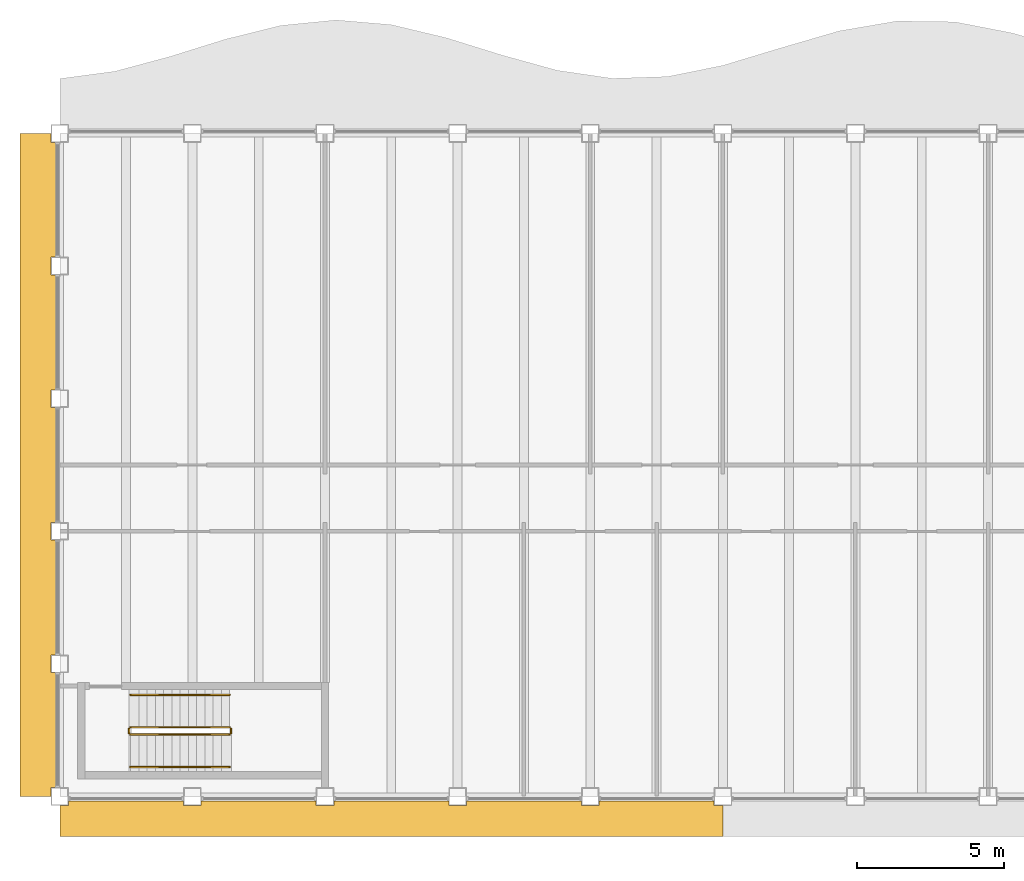
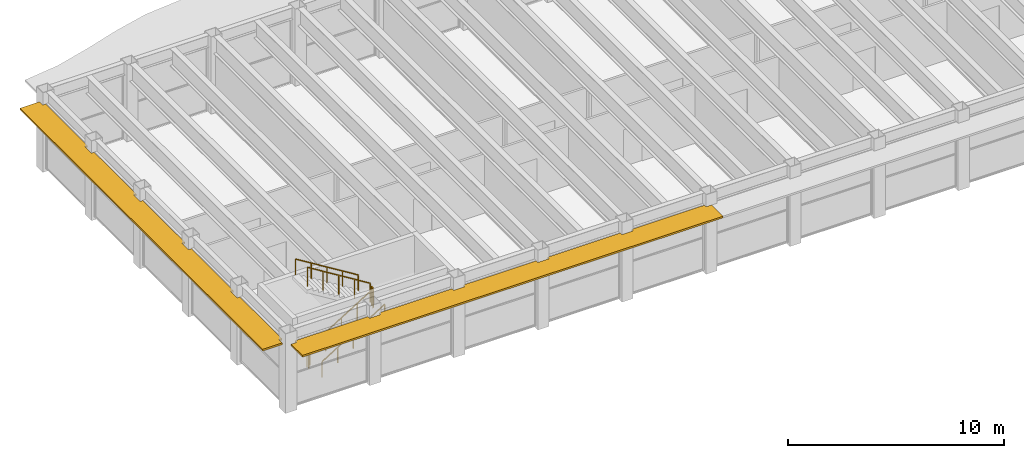
# One storey, part 12 of 14: 6 railings, 2 shading devices.
"""IFC4 building model written with IfcOpenShell, lengths in metres."""

from ifc_helpers import new_model, si_unit, direction, frame, origin, origin_2d, place, context, subcontext, project, spatial, polyline, rectangle, outline, extrude, material, layer, layer_set, type_object, element, save


model = new_model("IFC4")

# Units and contexts
model_context = context("Model", 3, precision=1e-05, world=origin(), true_north=direction((0.0, 1.0)))
body_context = subcontext(model_context, "Body", "Model", "MODEL_VIEW")
ifc_project = project(units=[si_unit("LENGTHUNIT", "METRE"), si_unit("AREAUNIT", "SQUARE_METRE"), si_unit("VOLUMEUNIT", "CUBIC_METRE"), si_unit("PLANEANGLEUNIT", "RADIAN"), si_unit("MASSUNIT", "GRAM", prefix="KILO")], contexts=[model_context])

# Site, building, storey
site_placement = place(None, origin())
site = spatial("IfcSite", under=ifc_project, at=site_placement, CompositionType="ELEMENT")
building_placement = place(site_placement, origin())
building = spatial("IfcBuilding", under=site, at=building_placement, Name="Sennacour Bend Tower", CompositionType="ELEMENT")
storey_placement = place(building_placement, frame((0.0, 0.0, 327.5)))
storey = spatial("IfcBuildingStorey", under=building, at=storey_placement, Name="L75", CompositionType="ELEMENT", Elevation=327.5)

# Railings
ifc_material_1 = material(Name="Stainless steel", Category="steel")
railing_type_1 = type_object("IfcRailingType", Name="RL-GUARD-1100", PredefinedType="GUARDRAIL", material=ifc_material_1)
railing_1_placement = place(storey_placement, frame((2.39990234375, 2.10009765625, 0.173095703125)))
element("IfcRailing", 1, at=railing_1_placement, inside=storey, type_object=railing_type_1, Name="L75 SK1 stair guard 1", PredefinedType="GUARDRAIL", context=body_context, shape_type="SweptSolid", body=[
    extrude(rectangle(XDim=0.048095703125, YDim=0.048095703125, at=origin_2d()), frame((0.0, 0.0, 1.076171875), z_axis=(0.850623216509, 0.0, 0.525775754039), x_axis=(0.0, 1.0, 0.0)), (0.0, 0.0, 1.0), 3.9501953125),
    extrude(rectangle(XDim=0.0419921875, YDim=0.0419921875, at=origin_2d()), origin(), (0.0, 0.0, 1.0), 1.052001953125),
    extrude(rectangle(XDim=0.0419921875, YDim=0.0419921875, at=origin_2d()), frame((0.840087890625, 0.0, 0.519287109375)), (0.0, 0.0, 1.0), 1.052001953125),
    extrude(rectangle(XDim=0.0419921875, YDim=0.0419921875, at=origin_2d()), frame((1.68017578125, 0.0, 1.03857421875)), (0.0, 0.0, 1.0), 1.052001953125),
    extrude(rectangle(XDim=0.0419921875, YDim=0.0419921875, at=origin_2d()), frame((2.52001953125, 0.0, 1.5576171875)), (0.0, 0.0, 1.0), 1.052001953125),
    extrude(rectangle(XDim=0.0419921875, YDim=0.0419921875, at=origin_2d()), frame((3.360107421875, 0.0, 2.076904296875)), (0.0, 0.0, 1.0), 1.052001953125),
])
railing_2_placement = place(storey_placement, frame((5.81005859375, 2.14990234375, 2.25)))
element("IfcRailing", 2, at=railing_2_placement, inside=storey, type_object=railing_type_1, Name="L75 SK1 stair guard 2", PredefinedType="GUARDRAIL", context=body_context, shape_type="SweptSolid", body=[
    extrude(rectangle(XDim=0.048095703125, YDim=0.048095703125, at=origin_2d()), frame((0.0, 0.0, 1.076171875), z_axis=(0.0, 1.0, 0.0), x_axis=(-1.0, 0.0, 0.0)), (0.0, 0.0, 1.0), 0.150146484375),
    extrude(rectangle(XDim=0.0419921875, YDim=0.0419921875, at=origin_2d()), origin(), (0.0, 0.0, 1.0), 1.052001953125),
    extrude(rectangle(XDim=0.0419921875, YDim=0.0419921875, at=origin_2d()), frame((0.0, 0.150146484375, 0.0)), (0.0, 0.0, 1.0), 1.052001953125),
])
railing_3_placement = place(storey_placement, frame((5.760009765625, 2.35009765625, 2.423095703125)))
element("IfcRailing", 3, at=railing_3_placement, inside=storey, type_object=railing_type_1, Name="L75 SK1 stair guard 3", PredefinedType="GUARDRAIL", context=body_context, shape_type="SweptSolid", body=[
    extrude(rectangle(XDim=0.048095703125, YDim=0.048095703125, at=origin_2d()), frame((0.0, 0.0, 1.076171875), z_axis=(-0.850623216509, 0.0, 0.525775754039), x_axis=(0.0, -1.0, 0.0)), (0.0, 0.0, 1.0), 3.9501953125),
    extrude(rectangle(XDim=0.0419921875, YDim=0.0419921875, at=origin_2d()), origin(), (0.0, 0.0, 1.0), 1.052001953125),
    extrude(rectangle(XDim=0.0419921875, YDim=0.0419921875, at=origin_2d()), frame((-0.840087890625, 0.0, 0.519287109375)), (0.0, 0.0, 1.0), 1.052001953125),
    extrude(rectangle(XDim=0.0419921875, YDim=0.0419921875, at=origin_2d()), frame((-1.68017578125, 0.0, 1.03857421875)), (0.0, 0.0, 1.0), 1.052001953125),
    extrude(rectangle(XDim=0.0419921875, YDim=0.0419921875, at=origin_2d()), frame((-2.52001953125, 0.0, 1.5576171875)), (0.0, 0.0, 1.0), 1.052001953125),
    extrude(rectangle(XDim=0.0419921875, YDim=0.0419921875, at=origin_2d()), frame((-3.360107421875, 0.0, 2.076904296875)), (0.0, 0.0, 1.0), 1.052001953125),
])
railing_4_placement = place(storey_placement, frame((2.35009765625, 2.14990234375, 0.0)))
element("IfcRailing", 4, at=railing_4_placement, inside=storey, type_object=railing_type_1, Name="L75 SK1 stair guard 4", PredefinedType="GUARDRAIL", context=body_context, shape_type="SweptSolid", body=[
    extrude(rectangle(XDim=0.048095703125, YDim=0.048095703125, at=origin_2d()), frame((0.0, 0.0, 1.076171875), z_axis=(0.0, 1.0, 0.0), x_axis=(-1.0, 0.0, 0.0)), (0.0, 0.0, 1.0), 0.150146484375),
    extrude(rectangle(XDim=0.0419921875, YDim=0.0419921875, at=origin_2d()), origin(), (0.0, 0.0, 1.0), 1.052001953125),
    extrude(rectangle(XDim=0.0419921875, YDim=0.0419921875, at=origin_2d()), frame((0.0, 0.150146484375, 0.0)), (0.0, 0.0, 1.0), 1.052001953125),
])
railing_type_2 = type_object("IfcRailingType", Name="RL-HANDRAIL-900", PredefinedType="HANDRAIL", material=ifc_material_1)
railing_5_placement = place(storey_placement, frame((2.39990234375, 1.0, 0.173095703125)))
element("IfcRailing", 5, at=railing_5_placement, inside=storey, type_object=railing_type_2, Name="L75 SK1 stair handrail 1", PredefinedType="HANDRAIL", context=body_context, shape_type="SweptSolid", body=[
    extrude(rectangle(XDim=0.048095703125, YDim=0.048095703125, at=origin_2d()), frame((0.0, 0.0, 0.8759765625), z_axis=(0.850623216509, 0.0, 0.525775754039), x_axis=(0.0, 1.0, 0.0)), (0.0, 0.0, 1.0), 3.9501953125),
    extrude(rectangle(XDim=0.0419921875, YDim=0.0419921875, at=origin_2d()), origin(), (0.0, 0.0, 1.0), 0.851806640625),
    extrude(rectangle(XDim=0.0419921875, YDim=0.0419921875, at=origin_2d()), frame((0.840087890625, 0.0, 0.519287109375)), (0.0, 0.0, 1.0), 0.851806640625),
    extrude(rectangle(XDim=0.0419921875, YDim=0.0419921875, at=origin_2d()), frame((1.68017578125, 0.0, 1.03857421875)), (0.0, 0.0, 1.0), 0.851806640625),
    extrude(rectangle(XDim=0.0419921875, YDim=0.0419921875, at=origin_2d()), frame((2.52001953125, 0.0, 1.5576171875)), (0.0, 0.0, 1.0), 0.851806640625),
    extrude(rectangle(XDim=0.0419921875, YDim=0.0419921875, at=origin_2d()), frame((3.360107421875, 0.0, 2.076904296875)), (0.0, 0.0, 1.0), 0.851806640625),
])
railing_6_placement = place(storey_placement, frame((5.760009765625, 3.449951171875, 2.423095703125)))
element("IfcRailing", 6, at=railing_6_placement, inside=storey, type_object=railing_type_2, Name="L75 SK1 stair handrail 2", PredefinedType="HANDRAIL", context=body_context, shape_type="SweptSolid", body=[
    extrude(rectangle(XDim=0.048095703125, YDim=0.048095703125, at=origin_2d()), frame((0.0, 0.0, 0.8759765625), z_axis=(-0.850623216509, 0.0, 0.525775754039), x_axis=(0.0, -1.0, 0.0)), (0.0, 0.0, 1.0), 3.9501953125),
    extrude(rectangle(XDim=0.0419921875, YDim=0.0419921875, at=origin_2d()), origin(), (0.0, 0.0, 1.0), 0.851806640625),
    extrude(rectangle(XDim=0.0419921875, YDim=0.0419921875, at=origin_2d()), frame((-0.840087890625, 0.0, 0.519287109375)), (0.0, 0.0, 1.0), 0.851806640625),
    extrude(rectangle(XDim=0.0419921875, YDim=0.0419921875, at=origin_2d()), frame((-1.68017578125, 0.0, 1.03857421875)), (0.0, 0.0, 1.0), 0.851806640625),
    extrude(rectangle(XDim=0.0419921875, YDim=0.0419921875, at=origin_2d()), frame((-2.52001953125, 0.0, 1.5576171875)), (0.0, 0.0, 1.0), 0.851806640625),
    extrude(rectangle(XDim=0.0419921875, YDim=0.0419921875, at=origin_2d()), frame((-3.360107421875, 0.0, 2.076904296875)), (0.0, 0.0, 1.0), 0.851806640625),
])

# Shading devices
ifc_material_2 = material(Name="Bronze anodised aluminium", Category="aluminium")
ifc_layer = layer(ifc_material_2, 0.10009765625, Name="Bronze anodised aluminium", Category="aluminium")
ifc_layer_set = layer_set([ifc_layer], Name="Bronze anodised aluminium")
shading_device_type = type_object("IfcShadingDeviceType", Name="SUNSHADE BAND STRAIGHT", PredefinedType="USERDEFINED", material=ifc_layer_set)
shading_device_1_placement = place(storey_placement, frame((0.0, 0.0, 3.572021484375)))
element("IfcShadingDevice", 7, at=shading_device_1_placement, inside=storey, type_object=shading_device_type, Name="Sunshade band L75 K outer face", ObjectType="SUNSHADE", PredefinedType="USERDEFINED", context=body_context, shape_type="SweptSolid", body=[
    extrude(outline(polyline([(4.199951171875, -0.14990234375), (4.199951171875, -0.300048828125), (4.800048828125, -0.300048828125), (4.800048828125, -0.14990234375), (8.699951171875, -0.14990234375), (8.699951171875, -0.300048828125), (9.300048828125, -0.300048828125), (9.300048828125, -0.14990234375), (13.199951171875, -0.14990234375), (13.199951171875, -0.300048828125), (13.800048828125, -0.300048828125), (13.800048828125, -0.14990234375), (17.699951171875, -0.14990234375), (17.699951171875, -0.300048828125), (18.300048828125, -0.300048828125), (18.300048828125, -0.14990234375), (22.199951171875, -0.14990234375), (22.199951171875, -0.300048828125), (22.5, -0.300048828125), (22.5, -1.35009765625), (0.0, -1.35009765625), (0.0, -0.300048828125), (0.300048828125, -0.300048828125), (0.300048828125, -0.14990234375), (4.199951171875, -0.14990234375)])), origin(), (0.0, 0.0, 1.0), 0.10009765625),
])
shading_device_2_placement = place(storey_placement, frame((0.0, 0.0, 3.572021484375)))
element("IfcShadingDevice", 8, at=shading_device_2_placement, inside=storey, type_object=shading_device_type, Name="Sunshade band L75 K outer face", ObjectType="SUNSHADE", PredefinedType="USERDEFINED", context=body_context, shape_type="SweptSolid", body=[
    extrude(outline(polyline([(-0.14990234375, 18.300048828125), (-0.300048828125, 18.300048828125), (-0.300048828125, 17.699951171875), (-0.14990234375, 17.699951171875), (-0.14990234375, 13.800048828125), (-0.300048828125, 13.800048828125), (-0.300048828125, 13.199951171875), (-0.14990234375, 13.199951171875), (-0.14990234375, 9.300048828125), (-0.300048828125, 9.300048828125), (-0.300048828125, 8.699951171875), (-0.14990234375, 8.699951171875), (-0.14990234375, 4.800048828125), (-0.300048828125, 4.800048828125), (-0.300048828125, 4.199951171875), (-0.14990234375, 4.199951171875), (-0.14990234375, 0.300048828125), (-0.300048828125, 0.300048828125), (-0.300048828125, 0.0), (-1.35009765625, 0.0), (-1.35009765625, 22.5), (-0.300048828125, 22.5), (-0.300048828125, 22.199951171875), (-0.14990234375, 22.199951171875), (-0.14990234375, 18.300048828125)])), origin(), (0.0, 0.0, 1.0), 0.10009765625),
])

save(model, "model.ifc")
